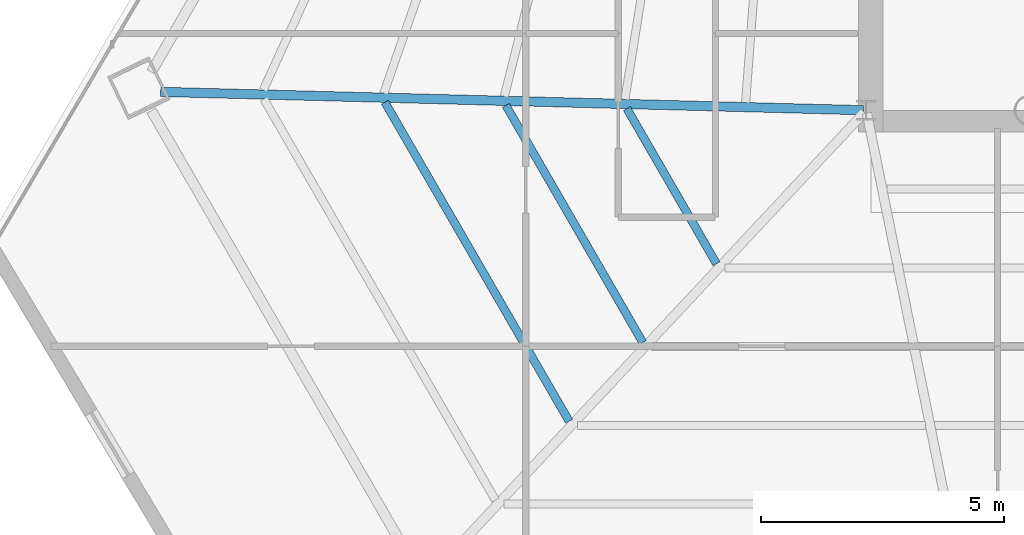
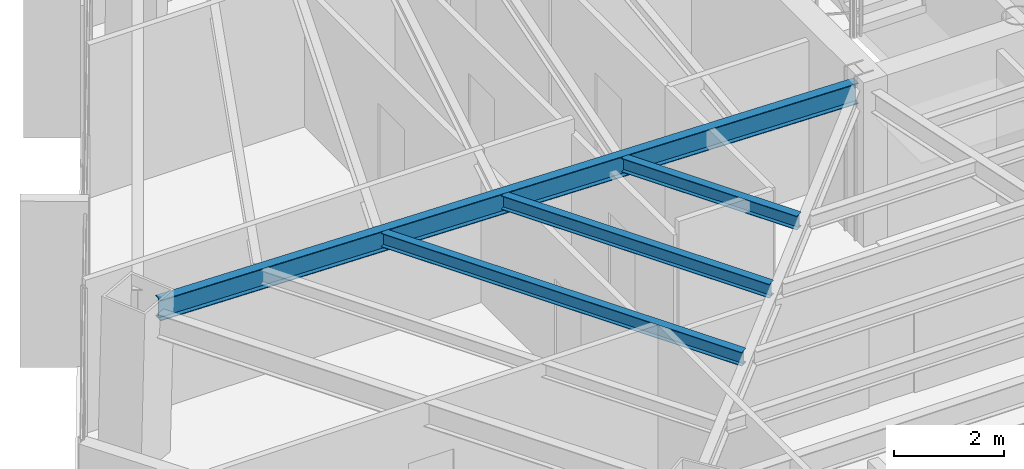
# One storey, part 7 of 41: 4 beams.
"""IFC4 building model written with IfcOpenShell, lengths in metres."""

from ifc_helpers import new_model, si_unit, direction, frame, origin, origin_2d, place, context, subcontext, project, spatial, i_section, extrude, source, transform, mapped, material, material_profile, profile_set, type_object, type_shapes, element, save


model = new_model("IFC4")

# Units and contexts
model_context = context("Model", 3, precision=1e-05, world=origin(), true_north=direction((0.0, 1.0)))
body_context = subcontext(model_context, "Body", "Model", "MODEL_VIEW")
ifc_project = project(units=[si_unit("LENGTHUNIT", "METRE"), si_unit("AREAUNIT", "SQUARE_METRE"), si_unit("VOLUMEUNIT", "CUBIC_METRE"), si_unit("PLANEANGLEUNIT", "RADIAN"), si_unit("MASSUNIT", "GRAM", prefix="KILO")], contexts=[model_context])

# Site, building, storey
site_placement = place(None, origin())
site = spatial("IfcSite", under=ifc_project, at=site_placement, CompositionType="ELEMENT")
building_placement = place(site_placement, origin())
building = spatial("IfcBuilding", under=site, at=building_placement, Name="Caelisora Broadcast Tower", CompositionType="ELEMENT")
storey_placement = place(building_placement, frame((0.0, 0.0, 169.449951171875)))
storey = spatial("IfcBuildingStorey", under=building, at=storey_placement, Name="L44", CompositionType="ELEMENT", Elevation=169.449951171875)

# Beams
ifc_material = material(Name="Steel Grade 350 (AS/NZS 3679.1)", Category="steel")
ifc_material_profile_1 = material_profile(ifc_material, i_section(OverallWidth=0.19091796875, OverallDepth=0.46044921875, WebThickness=0.010009765625, FlangeThickness=0.01611328125, at=origin_2d()), Name="Steel Grade 350 (AS/NZS 3679.1)")
ifc_profile_set_1 = profile_set([ifc_material_profile_1], Name="Steel Grade 350 (AS/NZS 3679.1)")
beam_type_1 = type_object("IfcBeamType", Name="PG06", PredefinedType="BEAM", material=ifc_profile_set_1)
shared_shape_1 = source(origin(), body_context, "Body", "SweptSolid", [
    extrude(i_section(OverallWidth=0.19091796875, OverallDepth=0.46044921875, WebThickness=0.010009765625, FlangeThickness=0.01611328125, at=origin_2d()), origin(), (0.0, 0.0, 1.0), 14.45263671875),
])
type_shapes(beam_type_1, [shared_shape_1])
beam_1_placement = place(storey_placement, frame((30.43994140625, 17.401611328125, 3.169921875), z_axis=(-0.999658927909, 0.026115662958, 0.0), x_axis=(-0.026115662958, -0.999658927909, 0.0)))
element("IfcBeam", 1, at=beam_1_placement, inside=storey, type_object=beam_type_1, Name="L44 beam PG06", PredefinedType="BEAM", context=body_context, shape_type="MappedRepresentation", body=[
    mapped(shared_shape_1, transform((0.0, 0.0, 0.0), scale=1.0)),
])
ifc_material_profile_2 = material_profile(ifc_material, i_section(OverallWidth=0.166015625, OverallDepth=0.30712890625, WebThickness=0.006591796875, FlangeThickness=0.01171875, at=origin_2d()), Name="Steel Grade 350 (AS/NZS 3679.1)")
ifc_profile_set_2 = profile_set([ifc_material_profile_2], Name="Steel Grade 350 (AS/NZS 3679.1)")
beam_type_2 = type_object("IfcBeamType", Name="SB03", PredefinedType="JOIST", material=ifc_profile_set_2)
shared_shape_2 = source(origin(), body_context, "Body", "SweptSolid", [
    extrude(i_section(OverallWidth=0.166015625, OverallDepth=0.30712890625, WebThickness=0.006591796875, FlangeThickness=0.01171875, at=origin_2d()), origin(), (0.0, 0.0, 1.0), 3.684814453125),
])
beam_2_placement = place(storey_placement, frame((25.57861328125, 17.435546875, 3.246337890625), z_axis=(0.499972899022, -0.866041049976, 0.0), x_axis=(0.866041049976, 0.499972899022, 0.0)))
element("IfcBeam", 2, at=beam_2_placement, inside=storey, type_object=beam_type_2, Name="L44 beam SB03", PredefinedType="JOIST", context=body_context, shape_type="MappedRepresentation", body=[
    mapped(shared_shape_2, transform((0.0, 0.0, 0.0), scale=1.0)),
])
shared_shape_3 = source(origin(), body_context, "Body", "SweptSolid", [
    extrude(i_section(OverallWidth=0.166015625, OverallDepth=0.30712890625, WebThickness=0.006591796875, FlangeThickness=0.01171875, at=origin_2d()), origin(), (0.0, 0.0, 1.0), 5.6298828125),
])
beam_3_placement = place(storey_placement, frame((23.090576171875, 17.50048828125, 3.246337890625), z_axis=(0.499991471522, -0.866030327647, 0.0), x_axis=(0.866030327647, 0.499991471522, 0.0)))
element("IfcBeam", 3, at=beam_3_placement, inside=storey, type_object=beam_type_2, Name="L44 beam SB03", PredefinedType="JOIST", context=body_context, shape_type="MappedRepresentation", body=[
    mapped(shared_shape_3, transform((0.0, 0.0, 0.0), scale=1.0)),
])
shared_shape_4 = source(origin(), body_context, "Body", "SweptSolid", [
    extrude(i_section(OverallWidth=0.166015625, OverallDepth=0.30712890625, WebThickness=0.006591796875, FlangeThickness=0.01171875, at=origin_2d()), origin(), (0.0, 0.0, 1.0), 7.575439453125),
])
type_shapes(beam_type_2, [shared_shape_2, shared_shape_3, shared_shape_4])
beam_4_placement = place(storey_placement, frame((20.6025390625, 17.565673828125, 3.246337890625), z_axis=(0.50001072126, -0.866019213774, 0.0), x_axis=(0.866019213774, 0.50001072126, 0.0)))
element("IfcBeam", 4, at=beam_4_placement, inside=storey, type_object=beam_type_2, Name="L44 beam SB03", PredefinedType="JOIST", context=body_context, shape_type="MappedRepresentation", body=[
    mapped(shared_shape_4, transform((0.0, 0.0, 0.0), scale=1.0)),
])

save(model, "model.ifc")
